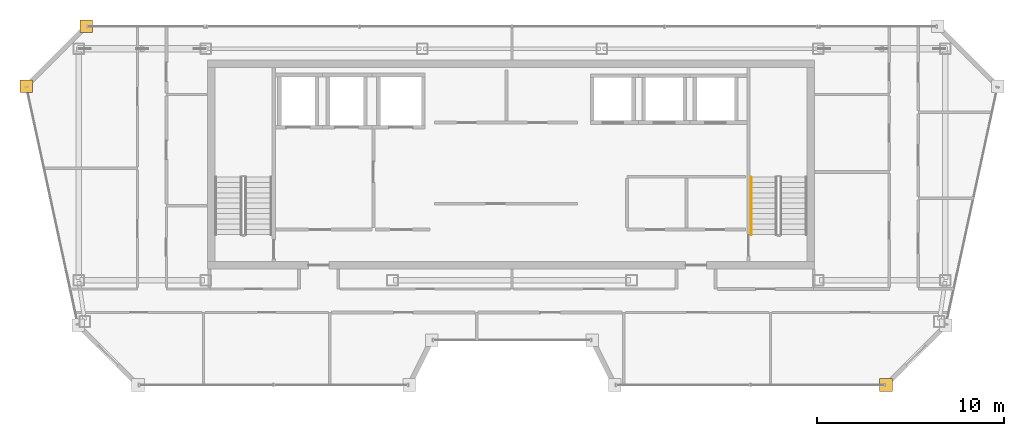
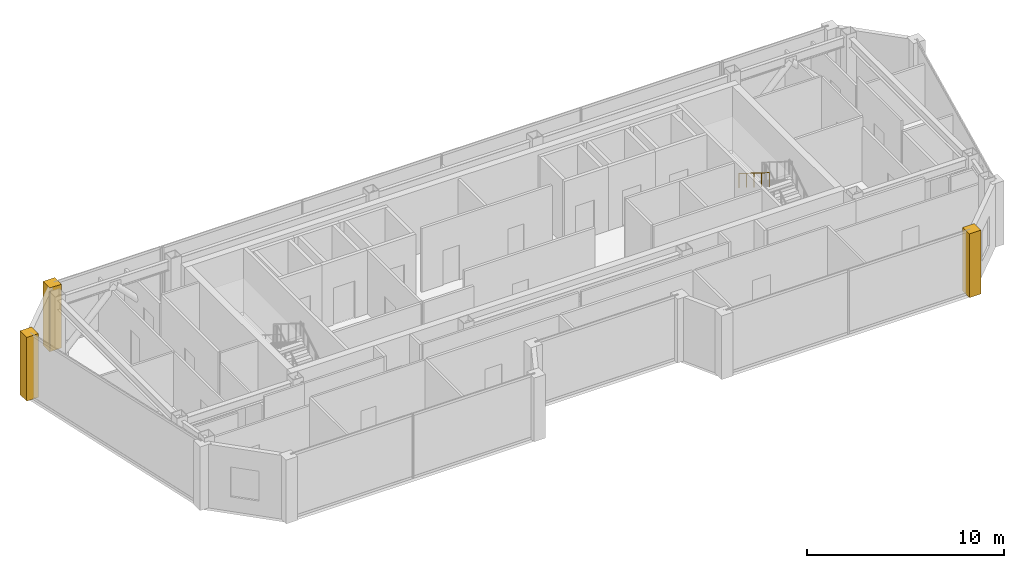
# One storey, part 19 of 20: 3 coverings, 1 railing.
"""IFC4 building model written with IfcOpenShell, lengths in metres."""

from ifc_helpers import new_model, si_unit, direction, frame, origin, origin_2d, place, context, subcontext, project, spatial, polyline, circle, outline, extrude, material, layer, layer_set, type_object, element, save


model = new_model("IFC4")

# Units and contexts
model_context = context("Model", 3, precision=1e-05, world=origin(), true_north=direction((0.0, 1.0)))
body_context = subcontext(model_context, "Body", "Model", "MODEL_VIEW")
ifc_project = project(units=[si_unit("LENGTHUNIT", "METRE"), si_unit("AREAUNIT", "SQUARE_METRE"), si_unit("VOLUMEUNIT", "CUBIC_METRE"), si_unit("PLANEANGLEUNIT", "RADIAN"), si_unit("MASSUNIT", "GRAM", prefix="KILO")], contexts=[model_context])

# Site, building, storey
site_placement = place(None, origin())
site = spatial("IfcSite", under=ifc_project, at=site_placement, CompositionType="ELEMENT")
building_placement = place(site_placement, origin())
building = spatial("IfcBuilding", under=site, at=building_placement, Name="Saevonmaru Cultural Tower", CompositionType="ELEMENT")
storey_placement = place(building_placement, frame((0.0, 0.0, 319.199951171875)))
storey = spatial("IfcBuildingStorey", under=building, at=storey_placement, Name="L76", CompositionType="ELEMENT", Elevation=319.199951171875)

# Coverings
ifc_material = material(Name="Satin Bronze Anodised Aluminium", Category="aluminium")
ifc_layer = layer(ifc_material, 0.679931640625, Name="Satin Bronze Anodised Aluminium")
ifc_layer_set = layer_set([ifc_layer], Name="Satin Bronze Anodised Aluminium")
covering_type = type_object("IfcCoveringType", Name="CV-CORNER-CLAD", PredefinedType="CLADDING", material=ifc_layer_set)
covering_1_placement = place(storey_placement, origin())
element("IfcCovering", 1, at=covering_1_placement, inside=storey, type_object=covering_type, Name="L76 Tower Bronze Corner Cladding Pier 7", PredefinedType="CLADDING", context=body_context, shape_type="SweptSolid", body=[
    extrude(outline(polyline([(49.68701171875, 36.4599609375), (50.366943359375, 36.4599609375), (50.366943359375, 37.139892578125), (49.68701171875, 37.139892578125), (49.68701171875, 36.4599609375)])), origin(), (0.0, 0.0, 1.0), 3.949951171875),
])
covering_2_placement = place(storey_placement, origin())
element("IfcCovering", 2, at=covering_2_placement, inside=storey, type_object=covering_type, Name="L76 Tower Bronze Corner Cladding Pier 11", PredefinedType="CLADDING", context=body_context, shape_type="SweptSolid", body=[
    extrude(outline(polyline([(6.860107421875, 55.659912109375), (7.5400390625, 55.659912109375), (7.5400390625, 56.340087890625), (6.860107421875, 56.340087890625), (6.860107421875, 55.659912109375)])), origin(), (0.0, 0.0, 1.0), 3.949951171875),
])
covering_3_placement = place(storey_placement, origin())
element("IfcCovering", 3, at=covering_3_placement, inside=storey, type_object=covering_type, Name="L76 Tower Bronze Corner Cladding Pier 12", PredefinedType="CLADDING", context=body_context, shape_type="SweptSolid", body=[
    extrude(outline(polyline([(3.659912109375, 52.4599609375), (4.340087890625, 52.4599609375), (4.340087890625, 53.139892578125), (3.659912109375, 53.139892578125), (3.659912109375, 52.4599609375)])), origin(), (0.0, 0.0, 1.0), 3.949951171875),
])

# Railing
railing_type = type_object("IfcRailingType", Name="RL-STAIR-HANDRAIL", PredefinedType="HANDRAIL", material=ifc_material)
railing_placement = place(storey_placement, frame((42.800048828125, 47.929931640625, 2.275146484375)))
element("IfcRailing", 4, at=railing_placement, inside=storey, type_object=railing_type, Name="L76 ST-2 stair handrail 2", PredefinedType="HANDRAIL", context=body_context, shape_type="SweptSolid", body=[
    extrude(circle(Radius=0.02392578125, at=origin_2d()), frame((0.0, 0.0, 0.8759765625), z_axis=(0.0, -0.848009633417, 0.529980812513), x_axis=(1.0, 0.0, 0.0)), (0.0, 0.0, 1.0), 3.6318359375),
    extrude(circle(Radius=0.02099609375, at=origin_2d()), origin(), (0.0, 0.0, 1.0), 0.851806640625),
    extrude(circle(Radius=0.02099609375, at=origin_2d()), frame((0.0, -0.77001953125, 0.481201171875)), (0.0, 0.0, 1.0), 0.851806640625),
    extrude(circle(Radius=0.02099609375, at=origin_2d()), frame((0.0, -1.5400390625, 0.96240234375)), (0.0, 0.0, 1.0), 0.851806640625),
    extrude(circle(Radius=0.02099609375, at=origin_2d()), frame((0.0, -2.309814453125, 1.443603515625)), (0.0, 0.0, 1.0), 0.851806640625),
    extrude(circle(Radius=0.02099609375, at=origin_2d()), frame((0.0, -3.079833984375, 1.9248046875)), (0.0, 0.0, 1.0), 0.851806640625),
])

save(model, "model.ifc")
